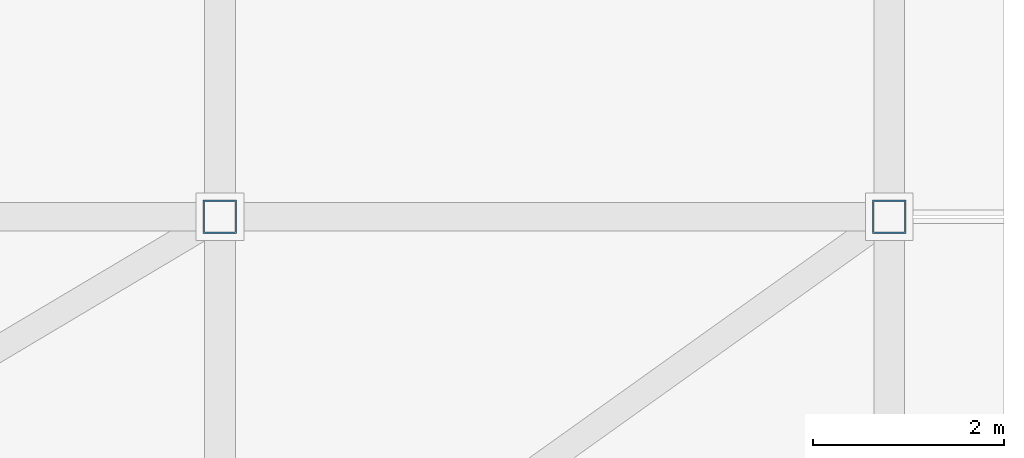
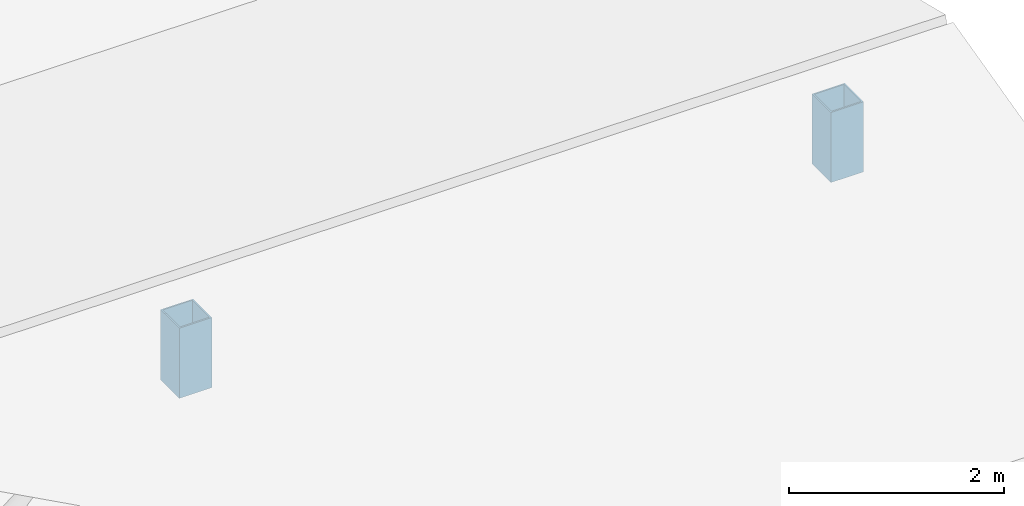
# One storey, part 5 of 13: 2 members.
"""IFC4 building model written with IfcOpenShell, lengths in metres."""

from ifc_helpers import new_model, si_unit, direction, frame, origin, origin_2d, place, context, subcontext, project, spatial, hollow_rectangle, extrude, source, transform, mapped, material, material_profile, profile_set, type_object, type_shapes, element, save


model = new_model("IFC4")

# Units and contexts
model_context = context("Model", 3, precision=1e-05, world=origin(), true_north=direction((0.0, 1.0)))
body_context = subcontext(model_context, "Body", "Model", "MODEL_VIEW")
ifc_project = project(units=[si_unit("LENGTHUNIT", "METRE"), si_unit("AREAUNIT", "SQUARE_METRE"), si_unit("VOLUMEUNIT", "CUBIC_METRE"), si_unit("PLANEANGLEUNIT", "RADIAN"), si_unit("MASSUNIT", "GRAM", prefix="KILO")], contexts=[model_context])

# Site, building, storey
site_placement = place(None, origin())
site = spatial("IfcSite", under=ifc_project, at=site_placement, CompositionType="ELEMENT")
building_placement = place(site_placement, origin())
building = spatial("IfcBuilding", under=site, at=building_placement, Name="Talar Marvaseh", CompositionType="ELEMENT")
storey_placement = place(building_placement, frame((0.0, 0.0, 19.0)))
storey = spatial("IfcBuildingStorey", under=building, at=storey_placement, Name="L04", CompositionType="ELEMENT", Elevation=19.0)

# Members
ifc_material = material(Name="Steel S355", Category="steel")
ifc_material_profile = material_profile(ifc_material, hollow_rectangle(XDim=0.35009765625, YDim=0.35009765625, WallThickness=0.01611328125, at=origin_2d()), Name="SHS350x350x16")
ifc_profile_set = profile_set([ifc_material_profile], Name="Steel S355")
member_type = type_object("IfcMemberType", Name="Market Vault Ridge Post SHS350x350x16", PredefinedType="POST", material=ifc_profile_set)
shared_shape = source(origin(), body_context, "Body", "SweptSolid", [
    extrude(hollow_rectangle(XDim=0.35009765625, YDim=0.35009765625, WallThickness=0.01611328125, at=origin_2d()), origin(), (0.0, 0.0, 1.0), 0.796875),
])
type_shapes(member_type, [shared_shape])
for number, where, z_axis, x_axis, name in (
    (1, (70.800048828125, 31.0, 0.60009765625), (0.0, 0.0, 1.0), (1.0, 0.0, 0.0), "L04 Market Vault Ridge Post 2"),
    (2, (77.800048828125, 31.0, 0.60009765625), (0.0, 0.0, 1.0), (1.0, 0.0, 0.0), "L04 Market Vault Ridge Post 2"),
):
    element("IfcMember", number, at=place(storey_placement, frame(where, z_axis=z_axis, x_axis=x_axis)), inside=storey, type_object=member_type, Name=name, PredefinedType="POST", context=body_context, shape_type="MappedRepresentation", body=[
        mapped(shared_shape, transform((0.0, 0.0, 0.0), x_axis=(1.0, 0.0, 0.0), y_axis=(0.0, 1.0, 0.0), z_axis=(0.0, 0.0, 1.0), scale=1.0)),
    ])

save(model, "model.ifc")
